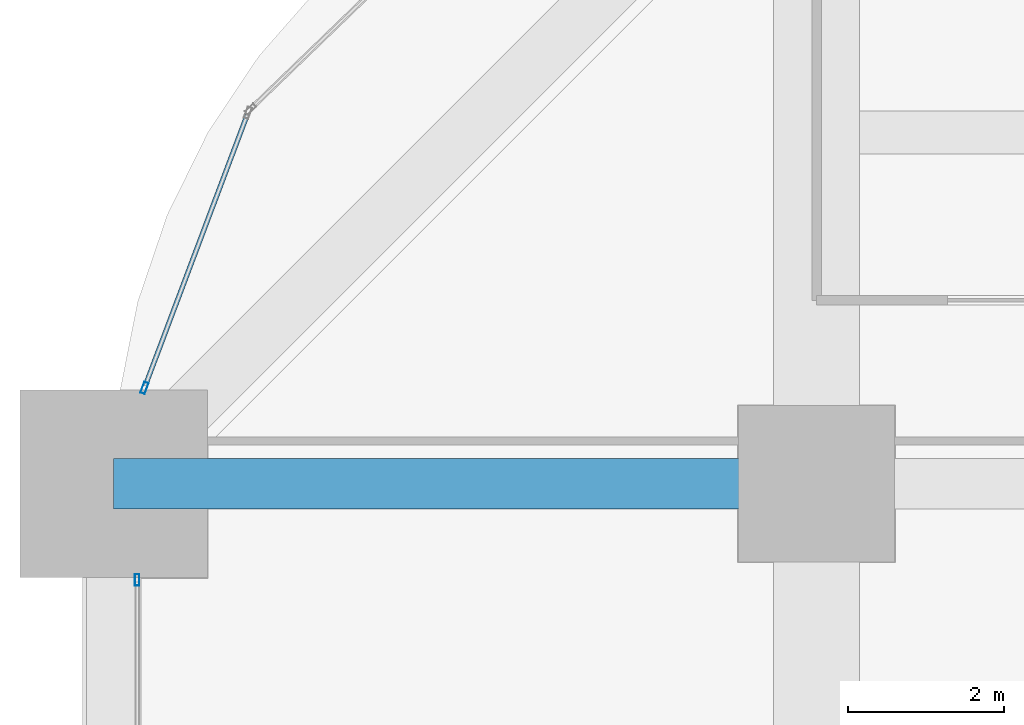
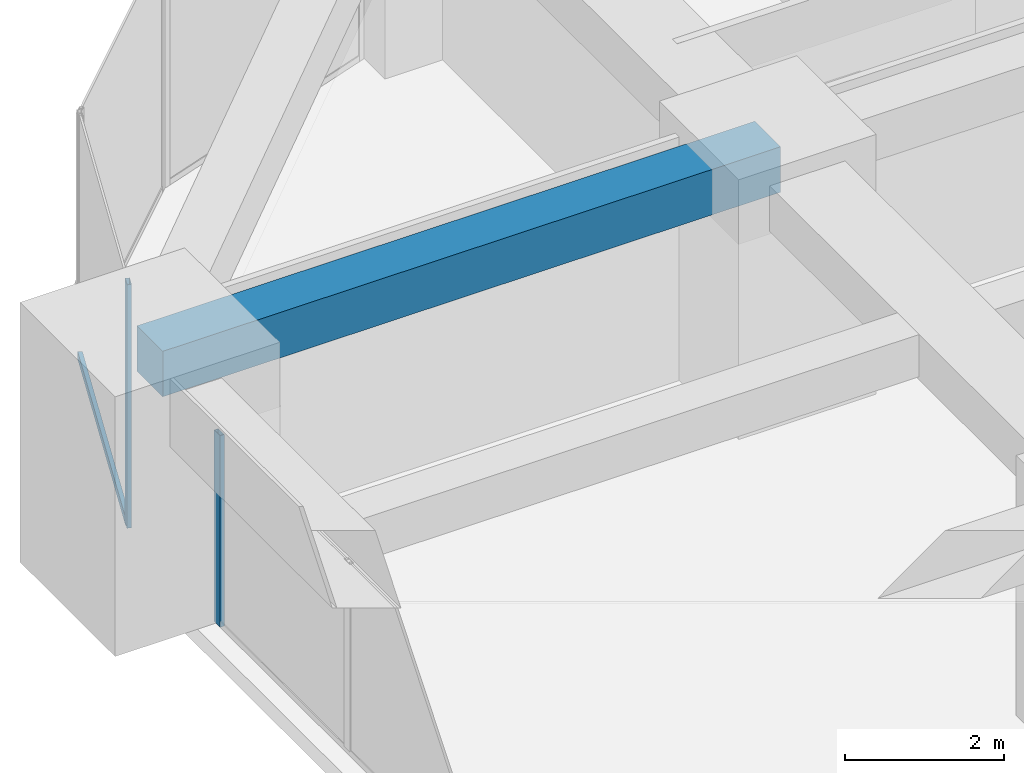
# One storey, part 24 of 40: 3 members, 1 beam, 2 elements without a shape of their own.
"""IFC4 building model written with IfcOpenShell, lengths in metres."""

from ifc_helpers import new_model, si_unit, direction, frame, origin, origin_2d, place, context, subcontext, project, spatial, rectangle, hollow_rectangle, extrude, material, material_profile, profile_set, type_object, element, aggregate, save


model = new_model("IFC4")

# Units and contexts
model_context = context("Model", 3, precision=1e-05, world=origin(), true_north=direction((0.0, 1.0)))
body_context = subcontext(model_context, "Body", "Model", "MODEL_VIEW")
ifc_project = project(units=[si_unit("LENGTHUNIT", "METRE"), si_unit("AREAUNIT", "SQUARE_METRE"), si_unit("VOLUMEUNIT", "CUBIC_METRE"), si_unit("PLANEANGLEUNIT", "RADIAN"), si_unit("MASSUNIT", "GRAM", prefix="KILO")], contexts=[model_context])

# Site, building, storey
site_placement = place(None, origin())
site = spatial("IfcSite", under=ifc_project, at=site_placement, CompositionType="ELEMENT")
building_placement = place(site_placement, origin())
building = spatial("IfcBuilding", under=site, at=building_placement, Name="Zorevar Civic Tower", CompositionType="ELEMENT")
storey_placement = place(building_placement, frame((0.0, 0.0, 93.0)))
storey = spatial("IfcBuildingStorey", under=building, at=storey_placement, Name="L22", CompositionType="ELEMENT", Elevation=93.0)

# Beam
ifc_material_1 = material(Name="Concrete C50/60", Category="concrete")
ifc_material_profile_1 = material_profile(ifc_material_1, rectangle(XDim=0.64990234375, YDim=0.699951171875, at=origin_2d()), Name="RC 650x700")
ifc_profile_set_1 = profile_set([ifc_material_profile_1], Name="Concrete C50/60")
beam_type = type_object("IfcBeamType", Name="Beam RC 650x700", PredefinedType="BEAM", material=ifc_profile_set_1)
beam_placement = place(storey_placement, frame((0.0, 36.0, 3.39990234375), z_axis=(1.0, 0.0, 0.0), x_axis=(0.0, 1.0, 0.0)))
element("IfcBeam", 1, at=beam_placement, inside=storey, type_object=beam_type, Name="Girder L23", PredefinedType="BEAM", context=body_context, shape_type="SweptSolid", body=[
    extrude(rectangle(XDim=0.64990234375, YDim=0.699951171875, at=origin_2d()), origin(), (0.0, 0.0, 1.0), 9.0),
])

# Curtain wall, member
ifc_material_2 = material(Name="Dark grey solar-control glass in black aluminium frame", Category="aluminium")
curtain_wall_type = type_object("IfcCurtainWallType", Name="Curtain wall CW3 mid zone", PredefinedType="NOTDEFINED", material=ifc_material_2)
curtain_wall_1_placement = place(storey_placement, origin())
curtain_wall_1 = element("IfcCurtainWall", 2, at=curtain_wall_1_placement, inside=storey, type_object=curtain_wall_type, Name="CW3 L22", PredefinedType="NOTDEFINED")
ifc_material_3 = material(Name="Aluminium, black anodised", Category="aluminium")
ifc_material_profile_2 = material_profile(ifc_material_3, hollow_rectangle(XDim=0.06005859375, YDim=0.14990234375, WallThickness=0.00390625, at=origin_2d()), Name="AL 150x60x4")
ifc_profile_set_2 = profile_set([ifc_material_profile_2], Name="Aluminium, black anodised")
member_type_1 = type_object("IfcMemberType", Name="CW3 mullion AL 150x60x4", PredefinedType="MULLION", material=ifc_profile_set_2)
member_1_placement = place(storey_placement, frame((0.300048828125, 34.77001953125, 0.0), z_axis=(0.0, 0.0, 1.0), x_axis=(-1.0, 0.0, 0.0)))
member_1 = element("IfcMember", 3, at=member_1_placement, type_object=member_type_1, Name="CW3 mullion 3", PredefinedType="MULLION", context=body_context, shape_type="SweptSolid", body=[
    extrude(hollow_rectangle(XDim=0.06005859375, YDim=0.14990234375, WallThickness=0.00390625, at=origin_2d()), origin(), (0.0, 0.0, 1.0), 2.949951171875),
])
aggregate(curtain_wall_1, [member_1])

# Curtain wall, members
curtain_wall_2_placement = place(storey_placement, origin())
curtain_wall_2 = element("IfcCurtainWall", 4, at=curtain_wall_2_placement, inside=storey, type_object=curtain_wall_type, Name="CW3 L22", PredefinedType="NOTDEFINED")
member_2_placement = place(storey_placement, frame((0.393798828125, 37.22802734375, 0.0), z_axis=(0.0, 0.0, 1.0), x_axis=(0.935950528564, -0.352131520999, 0.0)))
member_2 = element("IfcMember", 5, at=member_2_placement, type_object=member_type_1, Name="CW3 mullion 2", PredefinedType="MULLION", context=body_context, shape_type="SweptSolid", body=[
    extrude(hollow_rectangle(XDim=0.06005859375, YDim=0.14990234375, WallThickness=0.00390625, at=origin_2d()), origin(), (0.0, 0.0, 1.0), 3.75),
])
ifc_material_4 = material(Name="Aluminium, black anodised", Category="aluminium")
ifc_material_profile_3 = material_profile(ifc_material_4, hollow_rectangle(XDim=0.06005859375, YDim=0.1201171875, WallThickness=0.0029296875, at=origin_2d()), Name="AL 120x60x3")
ifc_profile_set_3 = profile_set([ifc_material_profile_3], Name="Aluminium, black anodised")
member_type_2 = type_object("IfcMemberType", Name="CW3 transom AL 120x60x3", PredefinedType="USERDEFINED", material=ifc_profile_set_3)
member_3_placement = place(storey_placement, frame((1.7080078125, 40.72119140625, 0.030029296875), z_axis=(-0.352142207579, -0.935946507895, 0.0), x_axis=(0.935946507895, -0.352142207579, 0.0)))
member_3 = element("IfcMember", 6, at=member_3_placement, type_object=member_type_2, Name="CW3 sill transom", ObjectType="TRANSOM", PredefinedType="USERDEFINED", context=body_context, shape_type="SweptSolid", body=[
    extrude(hollow_rectangle(XDim=0.06005859375, YDim=0.1201171875, WallThickness=0.0029296875, at=origin_2d()), origin(), (0.0, 0.0, 1.0), 3.7021484375),
])
aggregate(curtain_wall_2, [member_2, member_3])

save(model, "model.ifc")
